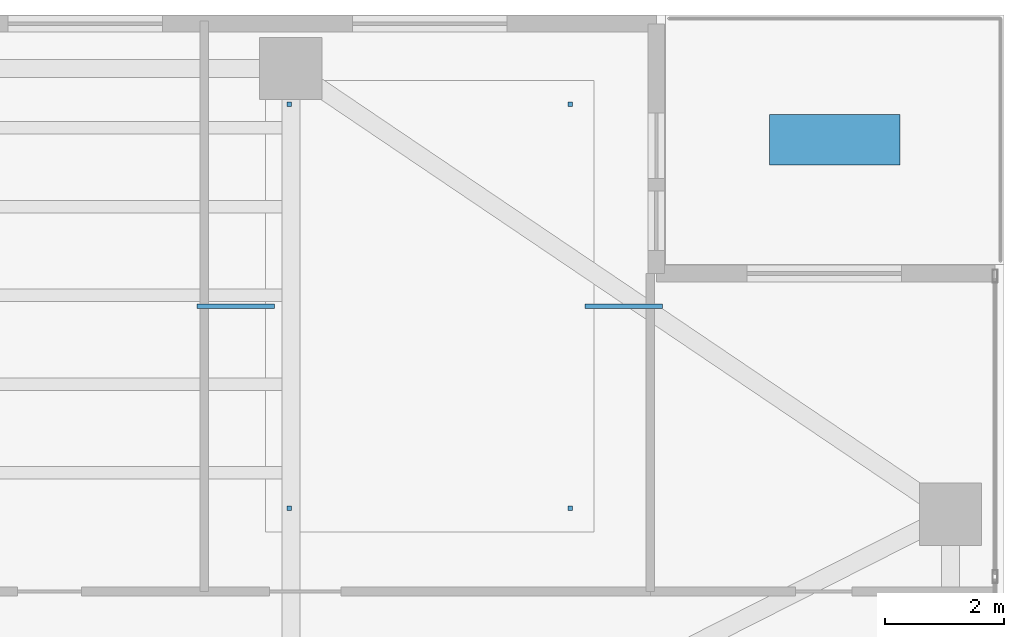
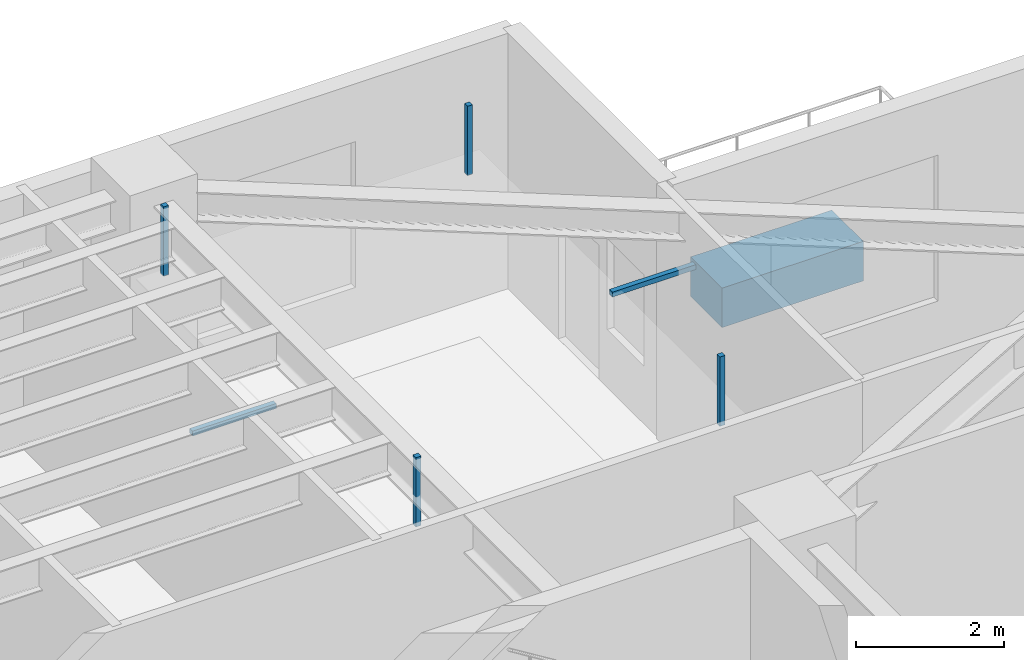
# One storey, part 33 of 38: 7 discrete accessories.
"""IFC4 building model written with IfcOpenShell, lengths in metres."""

from ifc_helpers import new_model, si_unit, direction, frame, origin, origin_2d, place, context, subcontext, project, spatial, rectangle, extrude, material, type_object, element, save


model = new_model("IFC4")

# Units and contexts
model_context = context("Model", 3, precision=1e-05, world=origin(), true_north=direction((0.0, 1.0)))
body_context = subcontext(model_context, "Body", "Model", "MODEL_VIEW")
ifc_project = project(units=[si_unit("LENGTHUNIT", "METRE"), si_unit("AREAUNIT", "SQUARE_METRE"), si_unit("VOLUMEUNIT", "CUBIC_METRE"), si_unit("PLANEANGLEUNIT", "RADIAN"), si_unit("MASSUNIT", "GRAM", prefix="KILO")], contexts=[model_context])

# Site, building, storey
site_placement = place(None, origin())
site = spatial("IfcSite", under=ifc_project, at=site_placement, CompositionType="ELEMENT")
building_placement = place(site_placement, origin())
building = spatial("IfcBuilding", under=site, at=building_placement, Name="Tarnavaz Court Tower", CompositionType="ELEMENT")
storey_placement = place(building_placement, frame((0.0, 0.0, 123.0)))
storey = spatial("IfcBuildingStorey", under=building, at=storey_placement, Name="L33", CompositionType="ELEMENT", Elevation=123.0)

# Discrete accessories
ifc_material_1 = material(Name="Anodised Aluminium 6063-T6", Category="aluminium")
discrete_accessory_type_1 = type_object("IfcDiscreteAccessoryType", Name="DA-BRKT-ALU", PredefinedType="BRACKET", material=ifc_material_1)
for number, where, z_axis, x_axis, name in (
    (1, (14.972900390625, 13.89990234375, 3.08984375), (0.0, 0.0, 1.0), (1.0, 0.0, 0.0), "L33 Ceiling Suspension Hanger Bracket 03-1"),
    (2, (19.699951171875, 13.89990234375, 3.08984375), (0.0, 0.0, 1.0), (1.0, 0.0, 0.0), "L33 Ceiling Suspension Hanger Bracket 03-2"),
    (3, (19.699951171875, 20.699951171875, 3.08984375), (0.0, 0.0, 1.0), (1.0, 0.0, 0.0), "L33 Ceiling Suspension Hanger Bracket 03-3"),
    (4, (14.972900390625, 20.699951171875, 3.08984375), (0.0, 0.0, 1.0), (1.0, 0.0, 0.0), "L33 Ceiling Suspension Hanger Bracket 03-4"),
):
    element("IfcDiscreteAccessory", number, at=place(storey_placement, frame(where, z_axis=z_axis, x_axis=x_axis)), inside=storey, type_object=discrete_accessory_type_1, Name=name, PredefinedType="BRACKET", context=body_context, shape_type="SweptSolid", body=[
        extrude(rectangle(XDim=0.080078125, YDim=0.080078125, at=origin_2d()), origin(), (0.0, 0.0, 1.0), 1.139892578125),
    ])
for number, where, z_axis, x_axis, name in (
    (5, (14.072998046875, 17.300048828125, 3.052490234375), (0.0, 0.0, 1.0), (1.0, 0.0, 0.0), "L33 Ceiling Perimeter Wall-Tie Bracket 03-1"),
    (6, (20.60009765625, 17.300048828125, 3.052490234375), (0.0, 0.0, 1.0), (1.0, 0.0, 0.0), "L33 Ceiling Perimeter Wall-Tie Bracket 03-2"),
):
    element("IfcDiscreteAccessory", number, at=place(storey_placement, frame(where, z_axis=z_axis, x_axis=x_axis)), inside=storey, type_object=discrete_accessory_type_1, Name=name, PredefinedType="BRACKET", context=body_context, shape_type="SweptSolid", body=[
        extrude(rectangle(XDim=1.300048828125, YDim=0.080078125, at=origin_2d()), origin(), (0.0, 0.0, 1.0), 0.080078125),
    ])
ifc_material_2 = material(Name="Terracotta Architectural Planter Trough", Category="masonry")
discrete_accessory_type_2 = type_object("IfcDiscreteAccessoryType", Name="DA-PLANTER-TC", PredefinedType="USERDEFINED", material=ifc_material_2)
discrete_accessory_placement = place(storey_placement, frame((24.14990234375, 20.10009765625, 0.0), z_axis=(0.0, 0.0, 1.0), x_axis=(1.0, 0.0, 0.0)))
element("IfcDiscreteAccessory", 7, at=discrete_accessory_placement, inside=storey, type_object=discrete_accessory_type_2, Name="L33 Chahar-Bagh Terracotta Landscape Planter 1", ObjectType="PLANTER", PredefinedType="USERDEFINED", context=body_context, shape_type="SweptSolid", body=[
    extrude(rectangle(XDim=2.199951171875, YDim=0.85009765625, at=origin_2d()), origin(), (0.0, 0.0, 1.0), 0.64990234375),
])

save(model, "model.ifc")
